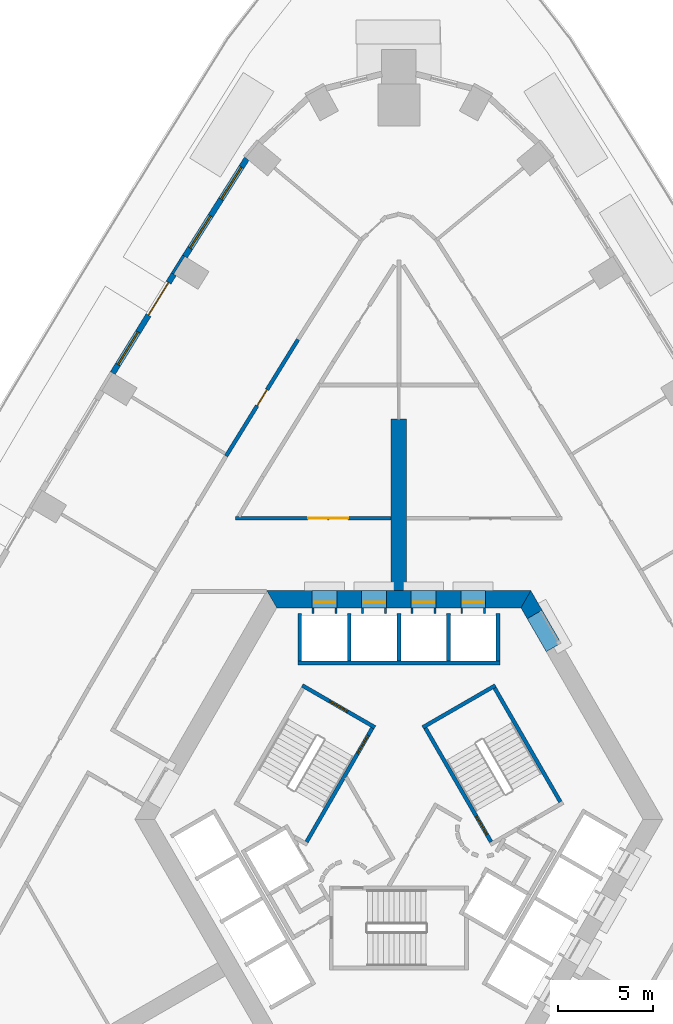
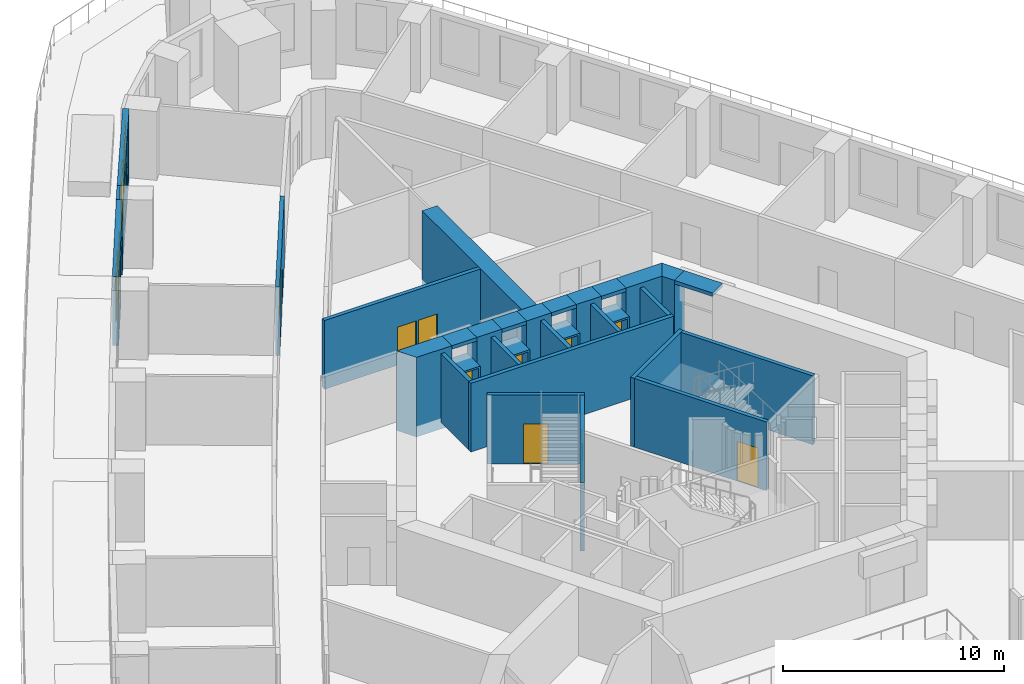
# One storey, part 9 of 16: 32 walls, 11 doors, 3 windows, 14 openings.
"""IFC4 building model written with IfcOpenShell, lengths in metres."""

from ifc_helpers import new_model, si_unit, direction, frame, frame_2d, origin, place, context, subcontext, project, spatial, polyline, rectangle, outline, extrude, material, layer, layer_set, type_object, element, fill, save


model = new_model("IFC4")

# Units and contexts
model_context = context("Model", 3, precision=1e-05, world=origin(), true_north=direction((0.0, 1.0)))
body_context = subcontext(model_context, "Body", "Model", "MODEL_VIEW")
ifc_project = project(units=[si_unit("LENGTHUNIT", "METRE"), si_unit("AREAUNIT", "SQUARE_METRE"), si_unit("VOLUMEUNIT", "CUBIC_METRE"), si_unit("PLANEANGLEUNIT", "RADIAN"), si_unit("MASSUNIT", "GRAM", prefix="KILO")], contexts=[model_context])

# Site, building, storey
site_placement = place(None, origin())
site = spatial("IfcSite", under=ifc_project, at=site_placement, CompositionType="ELEMENT")
building_placement = place(site_placement, origin())
building = spatial("IfcBuilding", under=site, at=building_placement, Name="Entoto Arch Interchange Tower", CompositionType="ELEMENT")
storey_placement = place(building_placement, frame((0.0, 0.0, 86.60009765625)))
storey = spatial("IfcBuildingStorey", under=building, at=storey_placement, Name="L18", CompositionType="ELEMENT", Elevation=86.60009765625)

# Walls
ifc_material_1 = material(Name="Concrete C60/75", Category="concrete")
ifc_layer_1 = layer(ifc_material_1, 0.800048828125)
ifc_layer_set_1 = layer_set([ifc_layer_1], Name="Concrete C60/75")
wall_type_1 = type_object("IfcWallType", Name="Buttress wall 800 C60/75", PredefinedType="SHEAR", material=ifc_layer_set_1)
wall_1_placement = place(storey_placement, frame((0.0, 14.5, -0.60009765625), z_axis=(0.0, 0.0, 1.0), x_axis=(0.0, 1.0, 0.0)))
element("IfcWall", 1, at=wall_1_placement, inside=storey, type_object=wall_type_1, Name="Buttress wall N L18", PredefinedType="SHEAR", context=body_context, shape_type="SweptSolid", body=[
    extrude(rectangle(XDim=9.0, YDim=0.800048828125, at=frame_2d((4.5, 0.0))), origin(), (0.0, 0.0, 1.0), 4.39990234375),
])
ifc_layer_2 = layer(ifc_material_1, 0.89990234375)
ifc_layer_set_2 = layer_set([ifc_layer_2], Name="Concrete C60/75")
wall_type_2 = type_object("IfcWallType", Name="Core wall 900 C60/75", PredefinedType="SHEAR", material=ifc_layer_set_2)
wall_2_placement = place(storey_placement, frame((0.0, 0.0, -0.60009765625)))
element("IfcWall", 2, at=wall_2_placement, inside=storey, type_object=wall_type_2, Name="Core wall NE L18", PredefinedType="SHEAR", context=body_context, shape_type="SweptSolid", body=[
    extrude(outline(polyline([(6.738037109375, 13.030029296875), (7.51708984375, 13.47998046875), (6.927978515625, 14.5), (6.408935546875, 13.60009765625), (6.738037109375, 13.030029296875)])), origin(), (0.0, 0.0, 1.0), 4.39990234375),
])
wall_3_placement = place(storey_placement, frame((0.0, 0.0, 3.599853515625)))
element("IfcWall", 3, at=wall_3_placement, inside=storey, type_object=wall_type_2, Name="Core wall lintel NE L18", PredefinedType="SHEAR", context=body_context, shape_type="SweptSolid", body=[
    extrude(outline(polyline([(7.51708984375, 13.47998046875), (6.738037109375, 13.030029296875), (7.738037109375, 11.298095703125), (8.51708984375, 11.748046875), (7.51708984375, 13.47998046875)])), origin(), (0.0, 0.0, 1.0), 0.199951171875),
])
wall_4_placement = place(storey_placement, frame((0.0, 0.0, -0.60009765625)))
element("IfcWall", 4, at=wall_4_placement, inside=storey, type_object=wall_type_2, Name="Core wall N L18", PredefinedType="SHEAR", context=body_context, shape_type="SweptSolid", body=[
    extrude(outline(polyline([(4.550048828125, 14.5), (4.550048828125, 13.60009765625), (6.408935546875, 13.60009765625), (6.927978515625, 14.5), (4.550048828125, 14.5)])), origin(), (0.0, 0.0, 1.0), 4.39990234375),
])
wall_5_placement = place(storey_placement, frame((0.0, 0.0, -0.60009765625)))
element("IfcWall", 5, at=wall_5_placement, inside=storey, type_object=wall_type_2, Name="Core wall N L18", PredefinedType="SHEAR", context=body_context, shape_type="SweptSolid", body=[
    extrude(outline(polyline([(1.949951171875, 14.5), (1.949951171875, 13.60009765625), (3.25, 13.60009765625), (3.25, 14.5), (1.949951171875, 14.5)])), origin(), (0.0, 0.0, 1.0), 4.39990234375),
])
wall_6_placement = place(storey_placement, frame((0.0, 0.0, -0.60009765625)))
element("IfcWall", 6, at=wall_6_placement, inside=storey, type_object=wall_type_2, Name="Core wall N L18", PredefinedType="SHEAR", context=body_context, shape_type="SweptSolid", body=[
    extrude(outline(polyline([(-0.64990234375, 14.5), (-0.64990234375, 13.60009765625), (0.64990234375, 13.60009765625), (0.64990234375, 14.5), (-0.64990234375, 14.5)])), origin(), (0.0, 0.0, 1.0), 4.39990234375),
])
wall_7_placement = place(storey_placement, frame((0.0, 0.0, -0.60009765625)))
element("IfcWall", 7, at=wall_7_placement, inside=storey, type_object=wall_type_2, Name="Core wall N L18", PredefinedType="SHEAR", context=body_context, shape_type="SweptSolid", body=[
    extrude(outline(polyline([(-3.25, 14.5), (-3.25, 13.60009765625), (-1.949951171875, 13.60009765625), (-1.949951171875, 14.5), (-3.25, 14.5)])), origin(), (0.0, 0.0, 1.0), 4.39990234375),
])
wall_8_placement = place(storey_placement, frame((0.0, 0.0, -0.60009765625)))
element("IfcWall", 8, at=wall_8_placement, inside=storey, type_object=wall_type_2, Name="Core wall N L18", PredefinedType="SHEAR", context=body_context, shape_type="SweptSolid", body=[
    extrude(outline(polyline([(-4.550048828125, 13.60009765625), (-4.550048828125, 14.5), (-6.927978515625, 14.5), (-6.408935546875, 13.60009765625), (-4.550048828125, 13.60009765625)])), origin(), (0.0, 0.0, 1.0), 4.39990234375),
])
wall_9_placement = place(storey_placement, frame((0.0, 0.0, 3.599853515625)))
element("IfcWall", 9, at=wall_9_placement, inside=storey, type_object=wall_type_2, Name="Core wall lintel N L18", PredefinedType="SHEAR", context=body_context, shape_type="SweptSolid", body=[
    extrude(outline(polyline([(3.25, 14.5), (3.25, 13.60009765625), (4.550048828125, 13.60009765625), (4.550048828125, 14.5), (3.25, 14.5)])), origin(), (0.0, 0.0, 1.0), 0.199951171875),
])
wall_10_placement = place(storey_placement, frame((0.0, 0.0, 3.599853515625)))
element("IfcWall", 10, at=wall_10_placement, inside=storey, type_object=wall_type_2, Name="Core wall lintel N L18", PredefinedType="SHEAR", context=body_context, shape_type="SweptSolid", body=[
    extrude(outline(polyline([(0.64990234375, 14.5), (0.64990234375, 13.60009765625), (1.949951171875, 13.60009765625), (1.949951171875, 14.5), (0.64990234375, 14.5)])), origin(), (0.0, 0.0, 1.0), 0.199951171875),
])
wall_11_placement = place(storey_placement, frame((0.0, 0.0, 3.599853515625)))
element("IfcWall", 11, at=wall_11_placement, inside=storey, type_object=wall_type_2, Name="Core wall lintel N L18", PredefinedType="SHEAR", context=body_context, shape_type="SweptSolid", body=[
    extrude(outline(polyline([(-1.949951171875, 14.5), (-1.949951171875, 13.60009765625), (-0.64990234375, 13.60009765625), (-0.64990234375, 14.5), (-1.949951171875, 14.5)])), origin(), (0.0, 0.0, 1.0), 0.199951171875),
])
wall_12_placement = place(storey_placement, frame((0.0, 0.0, 3.599853515625)))
element("IfcWall", 12, at=wall_12_placement, inside=storey, type_object=wall_type_2, Name="Core wall lintel N L18", PredefinedType="SHEAR", context=body_context, shape_type="SweptSolid", body=[
    extrude(outline(polyline([(-4.550048828125, 14.5), (-4.550048828125, 13.60009765625), (-3.25, 13.60009765625), (-3.25, 14.5), (-4.550048828125, 14.5)])), origin(), (0.0, 0.0, 1.0), 0.199951171875),
])

# Wall, opening, door
ifc_material_2 = material(Name="Concrete C40/50", Category="concrete")
ifc_layer_3 = layer(ifc_material_2, 1.199951171875)
ifc_layer_set_3 = layer_set([ifc_layer_3], Name="Concrete C40/50")
wall_type_3 = type_object("IfcWallType", Name="LIFT LANDING INFILL WALL", PredefinedType="STANDARD", material=ifc_layer_set_3)
wall_13_placement = place(storey_placement, frame((4.550048828125, 13.89990234375, 0.0), z_axis=(0.0, 0.0, 1.0), x_axis=(-1.0, 0.0, 0.0)))
wall_13 = element("IfcWall", 13, at=wall_13_placement, inside=storey, type_object=wall_type_3, Name="Lift landing infill wall LR1 L18", PredefinedType="STANDARD", context=body_context, shape_type="SweptSolid", body=[
    extrude(rectangle(XDim=1.300048828125, YDim=1.199951171875, at=frame_2d((0.64990234375, 0.0))), origin(), (0.0, 0.0, 1.0), 2.39990234375),
])
opening_1_placement = place(wall_13_placement, frame((0.10009765625, 0.0, 0.0)))
opening_1 = element("IfcOpeningElement", 14, at=opening_1_placement, cuts=wall_13, Name="Opening LD-LR1-L18", PredefinedType="OPENING", context=body_context, shape_type="SweptSolid", body=[
    extrude(rectangle(XDim=1.10009765625, YDim=2.300048828125, at=frame_2d((0.550048828125, 1.14990234375))), frame((0.0, 0.60986328125, 0.0), z_axis=(0.0, -1.0, 0.0), x_axis=(1.0, 0.0, 0.0)), (0.0, 0.0, 1.0), 1.219970703125),
])
ifc_material_3 = material(Name="Stainless steel 1.4301 panels", Category="steel")
door_type_1 = type_object("IfcDoorType", Name="LIFT LANDING DOOR LD2 1100x2300", OperationType="SLIDING_TO_LEFT", PredefinedType="DOOR", material=ifc_material_3)
door_1_placement = place(opening_1_placement, origin())
door_1 = element("IfcDoor", 15, at=door_1_placement, inside=storey, type_object=door_type_1, Name="Lift landing door LR1 L18", OperationType="SLIDING_TO_LEFT", OverallHeight=2.300048828125, OverallWidth=1.10009765625, PredefinedType="DOOR", context=body_context, shape_type="SweptSolid", body=[
    extrude(rectangle(XDim=1.10009765625, YDim=2.300048828125, at=frame_2d((0.550048828125, 1.14990234375))), frame((0.0, 0.02490234375, 0.0), z_axis=(0.0, -1.0, 0.0), x_axis=(1.0, 0.0, 0.0)), (0.0, 0.0, 1.0), 0.050048828125),
])
fill(opening_1, door_1)

wall_14_placement = place(storey_placement, frame((1.949951171875, 13.89990234375, 0.0), z_axis=(0.0, 0.0, 1.0), x_axis=(-1.0, 0.0, 0.0)))
wall_14 = element("IfcWall", 16, at=wall_14_placement, inside=storey, type_object=wall_type_3, Name="Lift landing infill wall LR2 L18", PredefinedType="STANDARD", context=body_context, shape_type="SweptSolid", body=[
    extrude(rectangle(XDim=1.300048828125, YDim=1.199951171875, at=frame_2d((0.64990234375, 0.0))), origin(), (0.0, 0.0, 1.0), 2.39990234375),
])
opening_2_placement = place(wall_14_placement, frame((0.10009765625, 0.0, 0.0)))
opening_2 = element("IfcOpeningElement", 17, at=opening_2_placement, cuts=wall_14, Name="Opening LD-LR2-L18", PredefinedType="OPENING", context=body_context, shape_type="SweptSolid", body=[
    extrude(rectangle(XDim=1.10009765625, YDim=2.300048828125, at=frame_2d((0.550048828125, 1.14990234375))), frame((0.0, 0.60986328125, 0.0), z_axis=(0.0, -1.0, 0.0), x_axis=(1.0, 0.0, 0.0)), (0.0, 0.0, 1.0), 1.219970703125),
])
door_2_placement = place(opening_2_placement, origin())
door_2 = element("IfcDoor", 18, at=door_2_placement, inside=storey, type_object=door_type_1, Name="Lift landing door LR2 L18", OperationType="SLIDING_TO_LEFT", OverallHeight=2.300048828125, OverallWidth=1.10009765625, PredefinedType="DOOR", context=body_context, shape_type="SweptSolid", body=[
    extrude(rectangle(XDim=1.10009765625, YDim=2.300048828125, at=frame_2d((0.550048828125, 1.14990234375))), frame((0.0, 0.02490234375, 0.0), z_axis=(0.0, -1.0, 0.0), x_axis=(1.0, 0.0, 0.0)), (0.0, 0.0, 1.0), 0.050048828125),
])
fill(opening_2, door_2)

wall_15_placement = place(storey_placement, frame((-0.64990234375, 13.89990234375, 0.0), z_axis=(0.0, 0.0, 1.0), x_axis=(-1.0, 0.0, 0.0)))
wall_15 = element("IfcWall", 19, at=wall_15_placement, inside=storey, type_object=wall_type_3, Name="Lift landing infill wall LR3 L18", PredefinedType="STANDARD", context=body_context, shape_type="SweptSolid", body=[
    extrude(rectangle(XDim=1.300048828125, YDim=1.199951171875, at=frame_2d((0.64990234375, 0.0))), origin(), (0.0, 0.0, 1.0), 2.39990234375),
])
opening_3_placement = place(wall_15_placement, frame((0.10009765625, 0.0, 0.0)))
opening_3 = element("IfcOpeningElement", 20, at=opening_3_placement, cuts=wall_15, Name="Opening LD-LR3-L18", PredefinedType="OPENING", context=body_context, shape_type="SweptSolid", body=[
    extrude(rectangle(XDim=1.10009765625, YDim=2.300048828125, at=frame_2d((0.550048828125, 1.14990234375))), frame((0.0, 0.60986328125, 0.0), z_axis=(0.0, -1.0, 0.0), x_axis=(1.0, 0.0, 0.0)), (0.0, 0.0, 1.0), 1.219970703125),
])
door_3_placement = place(opening_3_placement, origin())
door_3 = element("IfcDoor", 21, at=door_3_placement, inside=storey, type_object=door_type_1, Name="Lift landing door LR3 L18", OperationType="SLIDING_TO_LEFT", OverallHeight=2.300048828125, OverallWidth=1.10009765625, PredefinedType="DOOR", context=body_context, shape_type="SweptSolid", body=[
    extrude(rectangle(XDim=1.10009765625, YDim=2.300048828125, at=frame_2d((0.550048828125, 1.14990234375))), frame((0.0, 0.02490234375, 0.0), z_axis=(0.0, -1.0, 0.0), x_axis=(1.0, 0.0, 0.0)), (0.0, 0.0, 1.0), 0.050048828125),
])
fill(opening_3, door_3)

wall_16_placement = place(storey_placement, frame((-3.25, 13.89990234375, 0.0), z_axis=(0.0, 0.0, 1.0), x_axis=(-1.0, 0.0, 0.0)))
wall_16 = element("IfcWall", 22, at=wall_16_placement, inside=storey, type_object=wall_type_3, Name="Lift landing infill wall LR4 L18", PredefinedType="STANDARD", context=body_context, shape_type="SweptSolid", body=[
    extrude(rectangle(XDim=1.300048828125, YDim=1.199951171875, at=frame_2d((0.64990234375, 0.0))), origin(), (0.0, 0.0, 1.0), 2.39990234375),
])
opening_4_placement = place(wall_16_placement, frame((0.10009765625, 0.0, 0.0)))
opening_4 = element("IfcOpeningElement", 23, at=opening_4_placement, cuts=wall_16, Name="Opening LD-LR4-L18", PredefinedType="OPENING", context=body_context, shape_type="SweptSolid", body=[
    extrude(rectangle(XDim=1.10009765625, YDim=2.300048828125, at=frame_2d((0.550048828125, 1.14990234375))), frame((0.0, 0.60986328125, 0.0), z_axis=(0.0, -1.0, 0.0), x_axis=(1.0, 0.0, 0.0)), (0.0, 0.0, 1.0), 1.219970703125),
])
door_4_placement = place(opening_4_placement, origin())
door_4 = element("IfcDoor", 24, at=door_4_placement, inside=storey, type_object=door_type_1, Name="Lift landing door LR4 L18", OperationType="SLIDING_TO_LEFT", OverallHeight=2.300048828125, OverallWidth=1.10009765625, PredefinedType="DOOR", context=body_context, shape_type="SweptSolid", body=[
    extrude(rectangle(XDim=1.10009765625, YDim=2.300048828125, at=frame_2d((0.550048828125, 1.14990234375))), frame((0.0, 0.02490234375, 0.0), z_axis=(0.0, -1.0, 0.0), x_axis=(1.0, 0.0, 0.0)), (0.0, 0.0, 1.0), 0.050048828125),
])
fill(opening_4, door_4)

# Walls
ifc_layer_4 = layer(ifc_material_2, 0.199951171875)
ifc_layer_set_4 = layer_set([ifc_layer_4], Name="Concrete C40/50")
wall_type_4 = type_object("IfcWallType", Name="LIFT SHAFT WALL 200", PredefinedType="STANDARD", material=ifc_layer_set_4)
wall_17_placement = place(storey_placement, frame((5.300048828125, 10.699951171875, 0.0), z_axis=(0.0, 0.0, 1.0), x_axis=(-1.0, 0.0, 0.0)))
element("IfcWall", 25, at=wall_17_placement, inside=storey, type_object=wall_type_4, Name="Shaft wall N3 front", PredefinedType="STANDARD", context=body_context, shape_type="SweptSolid", body=[
    extrude(rectangle(XDim=10.60009765625, YDim=0.199951171875, at=frame_2d((5.300048828125, 0.0))), origin(), (0.0, 0.0, 1.0), 3.7998046875),
])
for number, where, z_axis, x_axis, name in (
    (26, (5.199951171875, 10.800048828125, 0.0), (0.0, 0.0, 1.0), (0.0, 1.0, 0.0), "Shaft wall N3 cross 1"),
    (27, (2.60009765625, 10.800048828125, 0.0), (0.0, 0.0, 1.0), (0.0, 1.0, 0.0), "Shaft wall N3 cross 2"),
    (28, (0.0, 10.800048828125, 0.0), (0.0, 0.0, 1.0), (0.0, 1.0, 0.0), "Shaft wall N3 cross 3"),
    (29, (-2.60009765625, 10.800048828125, 0.0), (0.0, 0.0, 1.0), (0.0, 1.0, 0.0), "Shaft wall N3 cross 4"),
    (30, (-5.199951171875, 10.800048828125, 0.0), (0.0, 0.0, 1.0), (0.0, 1.0, 0.0), "Shaft wall N3 cross 5"),
):
    element("IfcWall", number, at=place(storey_placement, frame(where, z_axis=z_axis, x_axis=x_axis)), inside=storey, type_object=wall_type_4, Name=name, PredefinedType="STANDARD", context=body_context, shape_type="SweptSolid", body=[
        extrude(rectangle(XDim=2.5, YDim=0.199951171875, at=frame_2d((1.25, 0.0))), origin(), (0.0, 0.0, 1.0), 3.7998046875),
    ])

# Wall, opening, door
ifc_material_4 = material(Name="Gypsum board partition on steel studs", Category="steel")
ifc_layer_5 = layer(ifc_material_4, 0.199951171875)
ifc_layer_set_5 = layer_set([ifc_layer_5], Name="Gypsum board partition on steel studs")
wall_type_5 = type_object("IfcWallType", Name="PARTITION 200", PredefinedType="PARTITIONING", material=ifc_layer_set_5)
wall_18_placement = place(storey_placement, frame((-9.06689453125, 21.568115234375, 0.0), z_axis=(0.0, 0.0, 1.0), x_axis=(0.525131931126, 0.851020831068, 0.0)))
wall_18 = element("IfcWall", 31, at=wall_18_placement, inside=storey, type_object=wall_type_5, Name="wall:L18:p051", PredefinedType="PARTITIONING", context=body_context, shape_type="SweptSolid", body=[
    extrude(rectangle(XDim=7.1865234375, YDim=0.199951171875, at=frame_2d((3.59326171875, 0.0))), origin(), (0.0, 0.0, 1.0), 3.7998046875),
])
opening_5_placement = place(wall_18_placement, frame((3.093017578125, 0.0, 0.0)))
opening_5 = element("IfcOpeningElement", 32, at=opening_5_placement, cuts=wall_18, Name="Opening L18-D14", PredefinedType="OPENING", context=body_context, shape_type="SweptSolid", body=[
    extrude(rectangle(XDim=1.0, YDim=2.10009765625, at=frame_2d((0.5, 1.050048828125))), frame((0.0, 0.10986328125, 0.0), z_axis=(0.0, -1.0, 0.0), x_axis=(1.0, 0.0, 0.0)), (0.0, 0.0, 1.0), 0.219970703125),
])
ifc_material_5 = material(Name="Timber door leaf in Steel S235 frame", Category="steel")
door_type_2 = type_object("IfcDoorType", Name="DOOR DS-10 1000x2100", OperationType="SINGLE_SWING_LEFT", PredefinedType="DOOR", material=ifc_material_5)
door_5_placement = place(opening_5_placement, origin())
door_5 = element("IfcDoor", 33, at=door_5_placement, inside=storey, type_object=door_type_2, Name="door:L18:14", OperationType="SINGLE_SWING_RIGHT", OverallHeight=2.10009765625, OverallWidth=1.0, PredefinedType="DOOR", context=body_context, shape_type="SweptSolid", body=[
    extrude(rectangle(XDim=1.0, YDim=2.10009765625, at=frame_2d((0.5, 1.050048828125))), frame((0.0, 0.02490234375, 0.0), z_axis=(0.0, -1.0, 0.0), x_axis=(1.0, 0.0, 0.0)), (0.0, 0.0, 1.0), 0.050048828125),
])
fill(opening_5, door_5)

# Wall, openings, doors
wall_19_placement = place(storey_placement, frame((-8.56298828125, 18.300048828125, 0.0), z_axis=(0.0, 0.0, 1.0), x_axis=(1.0, 0.0, 0.0)))
wall_19 = element("IfcWall", 34, at=wall_19_placement, inside=storey, type_object=wall_type_5, Name="wall:L18:p100", PredefinedType="PARTITIONING", context=body_context, shape_type="SweptSolid", body=[
    extrude(rectangle(XDim=8.1630859375, YDim=0.199951171875, at=frame_2d((4.08154296875, 0.0))), origin(), (0.0, 0.0, 1.0), 3.7998046875),
])
opening_6_placement = place(wall_19_placement, frame((3.805908203125, 0.0, 0.0)))
opening_6 = element("IfcOpeningElement", 35, at=opening_6_placement, cuts=wall_19, Name="Opening L18-D25", PredefinedType="OPENING", context=body_context, shape_type="SweptSolid", body=[
    extrude(rectangle(XDim=1.0, YDim=2.10009765625, at=frame_2d((0.5, 1.050048828125))), frame((0.0, 0.10986328125, 0.0), z_axis=(0.0, -1.0, 0.0), x_axis=(1.0, 0.0, 0.0)), (0.0, 0.0, 1.0), 0.219970703125),
])
opening_7_placement = place(wall_19_placement, frame((4.906005859375, 0.0, 0.0)))
opening_7 = element("IfcOpeningElement", 36, at=opening_7_placement, cuts=wall_19, Name="Opening L18-D38", PredefinedType="OPENING", context=body_context, shape_type="SweptSolid", body=[
    extrude(rectangle(XDim=1.0, YDim=2.10009765625, at=frame_2d((0.5, 1.050048828125))), frame((0.0, 0.10986328125, 0.0), z_axis=(0.0, -1.0, 0.0), x_axis=(1.0, 0.0, 0.0)), (0.0, 0.0, 1.0), 0.219970703125),
])
door_6_placement = place(opening_6_placement, origin())
door_6 = element("IfcDoor", 37, at=door_6_placement, inside=storey, type_object=door_type_2, Name="door:L18:25", OperationType="SINGLE_SWING_RIGHT", OverallHeight=2.10009765625, OverallWidth=1.0, PredefinedType="DOOR", context=body_context, shape_type="SweptSolid", body=[
    extrude(rectangle(XDim=1.0, YDim=2.10009765625, at=frame_2d((0.5, 1.050048828125))), frame((0.0, 0.02490234375, 0.0), z_axis=(0.0, -1.0, 0.0), x_axis=(1.0, 0.0, 0.0)), (0.0, 0.0, 1.0), 0.050048828125),
])
fill(opening_6, door_6)
door_7_placement = place(opening_7_placement, origin())
door_7 = element("IfcDoor", 38, at=door_7_placement, inside=storey, type_object=door_type_2, Name="door:L18:38", OperationType="SINGLE_SWING_RIGHT", OverallHeight=2.10009765625, OverallWidth=1.0, PredefinedType="DOOR", context=body_context, shape_type="SweptSolid", body=[
    extrude(rectangle(XDim=1.0, YDim=2.10009765625, at=frame_2d((0.5, 1.050048828125))), frame((0.0, 0.02490234375, 0.0), z_axis=(0.0, -1.0, 0.0), x_axis=(1.0, 0.0, 0.0)), (0.0, 0.0, 1.0), 0.050048828125),
])
fill(opening_7, door_7)

# Wall
ifc_layer_6 = layer(ifc_material_2, 0.199951171875)
ifc_layer_set_6 = layer_set([ifc_layer_6], Name="Concrete C40/50")
wall_type_6 = type_object("IfcWallType", Name="STAIR ENCLOSURE WALL 200", PredefinedType="STANDARD", material=ifc_layer_set_6)
wall_20_placement = place(storey_placement, frame((1.256103515625, 7.323974609375, 0.0), z_axis=(0.0, 0.0, 1.0), x_axis=(0.866046073146, 0.499964197906, 0.0)))
element("IfcWall", 39, at=wall_20_placement, inside=storey, type_object=wall_type_6, Name="Stair wall ST-NE far", PredefinedType="STANDARD", context=body_context, shape_type="SweptSolid", body=[
    extrude(rectangle(XDim=4.400146484375, YDim=0.199951171875, at=frame_2d((2.2001953125, 0.0))), origin(), (0.0, 0.0, 1.0), 3.7998046875),
])

# Wall, opening, door
wall_21_placement = place(storey_placement, frame((4.843017578125, 1.31201171875, 0.0), z_axis=(0.0, 0.0, 1.0), x_axis=(-0.499963383562, 0.866046543262, 0.0)))
wall_21 = element("IfcWall", 40, at=wall_21_placement, inside=storey, type_object=wall_type_6, Name="Stair wall ST-NE hall", PredefinedType="STANDARD", context=body_context, shape_type="SweptSolid", body=[
    extrude(rectangle(XDim=6.900390625, YDim=0.199951171875, at=frame_2d((3.4501953125, 0.0))), origin(), (0.0, 0.0, 1.0), 3.7998046875),
])
opening_8_placement = place(wall_21_placement, frame((0.449951171875, 0.0, 0.0)))
opening_8 = element("IfcOpeningElement", 41, at=opening_8_placement, cuts=wall_21, Name="Opening SD-ST-NE-L18", PredefinedType="OPENING", context=body_context, shape_type="SweptSolid", body=[
    extrude(rectangle(XDim=1.10009765625, YDim=2.199951171875, at=frame_2d((0.550048828125, 1.10009765625))), frame((0.0, 0.10986328125, 0.0), z_axis=(0.0, -1.0, 0.0), x_axis=(1.0, 0.0, 0.0)), (0.0, 0.0, 1.0), 0.219970703125),
])
ifc_material_6 = material(Name="Steel S235", Category="steel")
door_type_3 = type_object("IfcDoorType", Name="STAIR DOOR SD1 1100x2200", OperationType="SINGLE_SWING_LEFT", PredefinedType="DOOR", material=ifc_material_6)
door_8_placement = place(opening_8_placement, origin())
door_8 = element("IfcDoor", 42, at=door_8_placement, inside=storey, type_object=door_type_3, Name="Stair door ST-NE L18", OperationType="SINGLE_SWING_LEFT", OverallHeight=2.199951171875, OverallWidth=1.10009765625, PredefinedType="DOOR", context=body_context, shape_type="SweptSolid", body=[
    extrude(rectangle(XDim=1.10009765625, YDim=2.199951171875, at=frame_2d((0.550048828125, 1.10009765625))), frame((0.0, 0.02490234375, 0.0), z_axis=(0.0, -1.0, 0.0), x_axis=(1.0, 0.0, 0.0)), (0.0, 0.0, 1.0), 0.050048828125),
])
fill(opening_8, door_8)

# Wall
wall_22_placement = place(storey_placement, frame((8.47998046875, 3.412109375, 0.0), z_axis=(0.0, 0.0, 1.0), x_axis=(-0.499978703459, 0.866037698999, 0.0)))
element("IfcWall", 43, at=wall_22_placement, inside=storey, type_object=wall_type_6, Name="Stair wall ST-NE back", PredefinedType="STANDARD", context=body_context, shape_type="SweptSolid", body=[
    extrude(rectangle(XDim=6.900146484375, YDim=0.199951171875, at=frame_2d((3.4501953125, 0.0))), origin(), (0.0, 0.0, 1.0), 3.7998046875),
])

# Wall, opening, door
wall_23_placement = place(storey_placement, frame((-1.256103515625, 7.323974609375, 0.0), z_axis=(0.0, 0.0, 1.0), x_axis=(-0.866046073146, 0.499964197906, 0.0)))
wall_23 = element("IfcWall", 44, at=wall_23_placement, inside=storey, type_object=wall_type_6, Name="Stair wall ST-NW near", PredefinedType="STANDARD", context=body_context, shape_type="SweptSolid", body=[
    extrude(rectangle(XDim=4.400146484375, YDim=0.199951171875, at=frame_2d((2.2001953125, 0.0))), origin(), (0.0, 0.0, 1.0), 3.7998046875),
])
opening_9_placement = place(wall_23_placement, frame((1.64990234375, 0.0, 0.0)))
opening_9 = element("IfcOpeningElement", 45, at=opening_9_placement, cuts=wall_23, Name="Opening SD-ST-NW-L18-E", PredefinedType="OPENING", context=body_context, shape_type="SweptSolid", body=[
    extrude(rectangle(XDim=1.10009765625, YDim=2.199951171875, at=frame_2d((0.550048828125, 1.10009765625))), frame((0.0, 0.10986328125, 0.0), z_axis=(0.0, -1.0, 0.0), x_axis=(1.0, 0.0, 0.0)), (0.0, 0.0, 1.0), 0.219970703125),
])
door_9_placement = place(opening_9_placement, origin())
door_9 = element("IfcDoor", 46, at=door_9_placement, inside=storey, type_object=door_type_3, Name="Stair door ST-NW L18 end", OperationType="SINGLE_SWING_LEFT", OverallHeight=2.199951171875, OverallWidth=1.10009765625, PredefinedType="DOOR", context=body_context, shape_type="SweptSolid", body=[
    extrude(rectangle(XDim=1.10009765625, YDim=2.199951171875, at=frame_2d((0.550048828125, 1.10009765625))), frame((0.0, 0.02490234375, 0.0), z_axis=(0.0, -1.0, 0.0), x_axis=(1.0, 0.0, 0.0)), (0.0, 0.0, 1.0), 0.050048828125),
])
fill(opening_9, door_9)

wall_24_placement = place(storey_placement, frame((-1.39306640625, 7.2880859375, 0.0), z_axis=(0.0, 0.0, 1.0), x_axis=(-0.499963383562, -0.866046543262, 0.0)))
wall_24 = element("IfcWall", 47, at=wall_24_placement, inside=storey, type_object=wall_type_6, Name="Stair wall ST-NW hall", PredefinedType="STANDARD", context=body_context, shape_type="SweptSolid", body=[
    extrude(rectangle(XDim=6.900390625, YDim=0.199951171875, at=frame_2d((3.4501953125, 0.0))), origin(), (0.0, 0.0, 1.0), 3.7998046875),
])
opening_10_placement = place(wall_24_placement, frame((0.449951171875, 0.0, 0.0)))
opening_10 = element("IfcOpeningElement", 48, at=opening_10_placement, cuts=wall_24, Name="Opening SD-ST-NW-L18", PredefinedType="OPENING", context=body_context, shape_type="SweptSolid", body=[
    extrude(rectangle(XDim=1.10009765625, YDim=2.199951171875, at=frame_2d((0.550048828125, 1.10009765625))), frame((0.0, 0.10986328125, 0.0), z_axis=(0.0, -1.0, 0.0), x_axis=(1.0, 0.0, 0.0)), (0.0, 0.0, 1.0), 0.219970703125),
])
door_10_placement = place(opening_10_placement, origin())
door_10 = element("IfcDoor", 49, at=door_10_placement, inside=storey, type_object=door_type_3, Name="Stair door ST-NW L18", OperationType="SINGLE_SWING_LEFT", OverallHeight=2.199951171875, OverallWidth=1.10009765625, PredefinedType="DOOR", context=body_context, shape_type="SweptSolid", body=[
    extrude(rectangle(XDim=1.10009765625, YDim=2.199951171875, at=frame_2d((0.550048828125, 1.10009765625))), frame((0.0, 0.02490234375, 0.0), z_axis=(0.0, -1.0, 0.0), x_axis=(1.0, 0.0, 0.0)), (0.0, 0.0, 1.0), 0.050048828125),
])
fill(opening_10, door_10)

# Wall, openings, windows
ifc_material_7 = material(Name="Welded tuff (ignimbrite) cladding, warm buff", Category="masonry")
ifc_layer_7 = layer(ifc_material_7, 0.300048828125)
ifc_layer_set_7 = layer_set([ifc_layer_7], Name="Welded tuff (ignimbrite) cladding, warm buff")
wall_type_7 = type_object("IfcWallType", Name="STONE INFILL WALL 300", PredefinedType="STANDARD", material=ifc_layer_set_7)
wall_25_placement = place(storey_placement, frame((-7.98193359375, 37.177001953125, 0.0), z_axis=(0.0, 0.0, 1.0), x_axis=(-0.534869492536, -0.84493468739, 0.0)))
wall_25 = element("IfcWall", 50, at=wall_25_placement, inside=storey, type_object=wall_type_7, Name="Facade wall NW-01 L18", PredefinedType="STANDARD", context=body_context, shape_type="SweptSolid", body=[
    extrude(rectangle(XDim=6.076171875, YDim=0.300048828125, at=frame_2d((3.0380859375, 0.0))), origin(), (0.0, 0.0, 1.0), 3.7998046875),
])
opening_11_placement = place(wall_25_placement, frame((0.51904296875, 0.0, 0.89990234375)))
opening_11 = element("IfcOpeningElement", 51, at=opening_11_placement, cuts=wall_25, Name="Opening WO-C", PredefinedType="OPENING", context=body_context, shape_type="SweptSolid", body=[
    extrude(rectangle(XDim=2.0, YDim=2.60009765625, at=frame_2d((1.0, 1.300048828125))), frame((0.0, 0.16015625, 0.0), z_axis=(0.0, -1.0, 0.0), x_axis=(1.0, 0.0, 0.0)), (0.0, 0.0, 1.0), 0.320068359375),
])
opening_12_placement = place(wall_25_placement, frame((3.556884765625, 0.0, 0.89990234375)))
opening_12 = element("IfcOpeningElement", 52, at=opening_12_placement, cuts=wall_25, Name="Opening WO-C", PredefinedType="OPENING", context=body_context, shape_type="SweptSolid", body=[
    extrude(rectangle(XDim=2.0, YDim=2.60009765625, at=frame_2d((1.0, 1.300048828125))), frame((0.0, 0.16015625, 0.0), z_axis=(0.0, -1.0, 0.0), x_axis=(1.0, 0.0, 0.0)), (0.0, 0.0, 1.0), 0.320068359375),
])
ifc_material_8 = material(Name="Clear glass, low-e double glazed", Category="glass")
window_type = type_object("IfcWindowType", Name="WINDOW WO-C 2000x2600", PartitioningType="DOUBLE_PANEL_VERTICAL", PredefinedType="WINDOW", material=ifc_material_8)
window_1_placement = place(opening_11_placement, origin())
window_1 = element("IfcWindow", 53, at=window_1_placement, inside=storey, type_object=window_type, Name="Window WO-C NW-01 L18", OverallHeight=2.60009765625, OverallWidth=2.0, PartitioningType="SINGLE_PANEL", PredefinedType="WINDOW", context=body_context, shape_type="SweptSolid", body=[
    extrude(rectangle(XDim=2.0, YDim=2.60009765625, at=frame_2d((1.0, 1.300048828125))), frame((0.0, 0.030029296875, 0.0), z_axis=(0.0, -1.0, 0.0), x_axis=(1.0, 0.0, 0.0)), (0.0, 0.0, 1.0), 0.06005859375),
])
fill(opening_11, window_1)
window_2_placement = place(opening_12_placement, origin())
window_2 = element("IfcWindow", 54, at=window_2_placement, inside=storey, type_object=window_type, Name="Window WO-C NW-01 L18", OverallHeight=2.60009765625, OverallWidth=2.0, PartitioningType="SINGLE_PANEL", PredefinedType="WINDOW", context=body_context, shape_type="SweptSolid", body=[
    extrude(rectangle(XDim=2.0, YDim=2.60009765625, at=frame_2d((1.0, 1.300048828125))), frame((0.0, 0.030029296875, 0.0), z_axis=(0.0, -1.0, 0.0), x_axis=(1.0, 0.0, 0.0)), (0.0, 0.0, 1.0), 0.06005859375),
])
fill(opening_12, window_2)

# Wall, openings, door, window
wall_26_placement = place(storey_placement, frame((-11.81396484375, 31.112060546875, 0.0), z_axis=(0.0, 0.0, 1.0), x_axis=(-0.525204788886, -0.850975869065, 0.0)))
wall_26 = element("IfcWall", 55, at=wall_26_placement, inside=storey, type_object=wall_type_7, Name="Facade wall NW-02 L18", PredefinedType="STANDARD", context=body_context, shape_type="SweptSolid", body=[
    extrude(rectangle(XDim=6.098876953125, YDim=0.300048828125, at=frame_2d((3.04931640625, 0.0))), origin(), (0.0, 0.0, 1.0), 3.7998046875),
])
opening_13_placement = place(wall_26_placement, frame((0.52490234375, 0.0, 0.0)))
opening_13 = element("IfcOpeningElement", 56, at=opening_13_placement, cuts=wall_26, Name="Opening DT-NW-02-L18", PredefinedType="OPENING", context=body_context, shape_type="SweptSolid", body=[
    extrude(rectangle(XDim=2.0, YDim=2.39990234375, at=frame_2d((1.0, 1.199951171875))), frame((0.0, 0.16015625, 0.0), z_axis=(0.0, -1.0, 0.0), x_axis=(1.0, 0.0, 0.0)), (0.0, 0.0, 1.0), 0.320068359375),
])
opening_14_placement = place(wall_26_placement, frame((3.573974609375, 0.0, 0.89990234375)))
opening_14 = element("IfcOpeningElement", 57, at=opening_14_placement, cuts=wall_26, Name="Opening WO-C", PredefinedType="OPENING", context=body_context, shape_type="SweptSolid", body=[
    extrude(rectangle(XDim=2.0, YDim=2.60009765625, at=frame_2d((1.0, 1.300048828125))), frame((0.0, 0.16015625, 0.0), z_axis=(0.0, -1.0, 0.0), x_axis=(1.0, 0.0, 0.0)), (0.0, 0.0, 1.0), 0.320068359375),
])
ifc_material_9 = material(Name="Aluminium and clear glass, anodised", Category="aluminium")
door_type_4 = type_object("IfcDoorType", Name="TERRACE DOOR DT 2000x2400", OperationType="SLIDING_TO_LEFT", PredefinedType="DOOR", material=ifc_material_9)
door_11_placement = place(opening_13_placement, origin())
door_11 = element("IfcDoor", 58, at=door_11_placement, inside=storey, type_object=door_type_4, Name="Terrace door NW-02 L18", OperationType="SLIDING_TO_LEFT", OverallHeight=2.39990234375, OverallWidth=2.0, PredefinedType="DOOR", context=body_context, shape_type="SweptSolid", body=[
    extrude(rectangle(XDim=2.0, YDim=2.39990234375, at=frame_2d((1.0, 1.199951171875))), frame((0.0, 0.02490234375, 0.0), z_axis=(0.0, -1.0, 0.0), x_axis=(1.0, 0.0, 0.0)), (0.0, 0.0, 1.0), 0.050048828125),
])
fill(opening_13, door_11)
window_3_placement = place(opening_14_placement, origin())
window_3 = element("IfcWindow", 59, at=window_3_placement, inside=storey, type_object=window_type, Name="Window WO-C NW-02 L18", OverallHeight=2.60009765625, OverallWidth=2.0, PartitioningType="SINGLE_PANEL", PredefinedType="WINDOW", context=body_context, shape_type="SweptSolid", body=[
    extrude(rectangle(XDim=2.0, YDim=2.60009765625, at=frame_2d((1.0, 1.300048828125))), frame((0.0, 0.030029296875, 0.0), z_axis=(0.0, -1.0, 0.0), x_axis=(1.0, 0.0, 0.0)), (0.0, 0.0, 1.0), 0.06005859375),
])
fill(opening_14, window_3)

# Wall
ifc_layer_8 = layer(ifc_material_7, 0.14990234375)
ifc_layer_set_8 = layer_set([ifc_layer_8], Name="Welded tuff (ignimbrite) cladding, warm buff")
wall_type_8 = type_object("IfcWallType", Name="STONE PIER CLADDING 150", PredefinedType="STANDARD", material=ifc_layer_set_8)
wall_27_placement = place(storey_placement, frame((-11.298095703125, 32.0859375, 0.0), z_axis=(0.0, 0.0, 1.0), x_axis=(-0.52997899071, -0.848010771987, 0.0)))
element("IfcWall", 60, at=wall_27_placement, inside=storey, type_object=wall_type_8, Name="Stone pier NW02 L18", PredefinedType="STANDARD", context=body_context, shape_type="SweptSolid", body=[
    extrude(rectangle(XDim=1.10009765625, YDim=0.14990234375, at=frame_2d((0.550048828125, 0.0))), origin(), (0.0, 0.0, 1.0), 3.7998046875),
])

save(model, "model.ifc")
